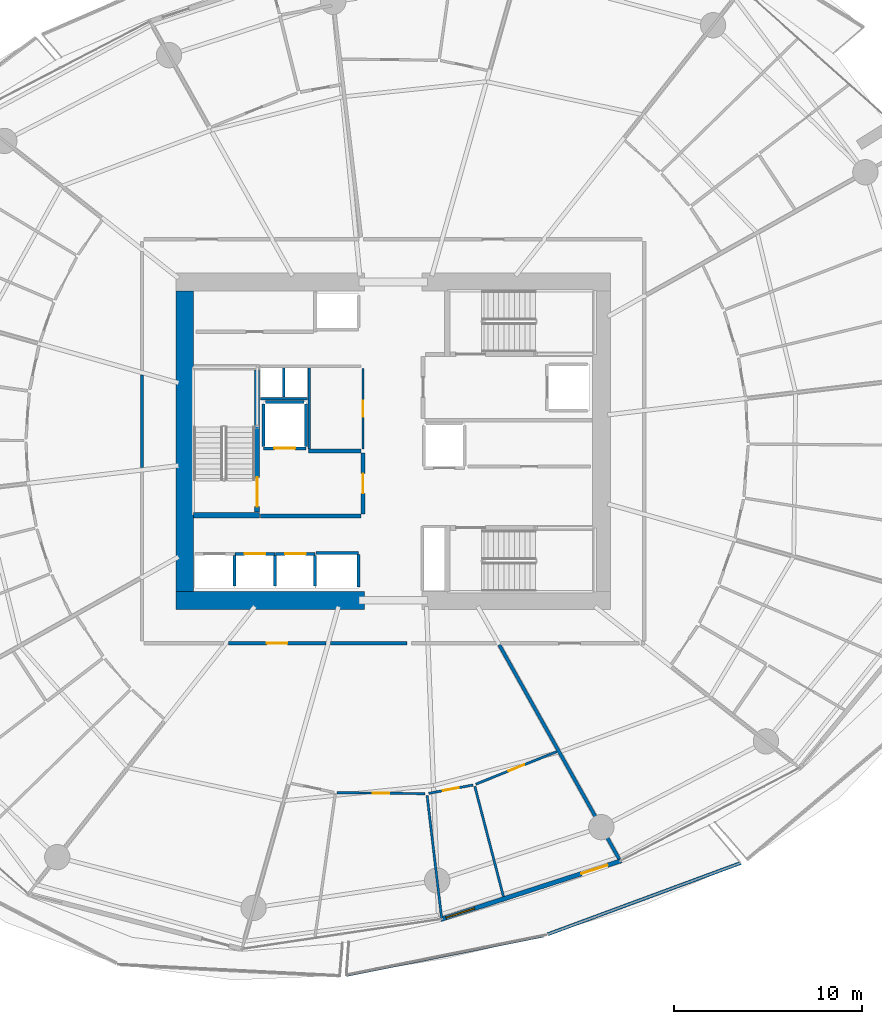
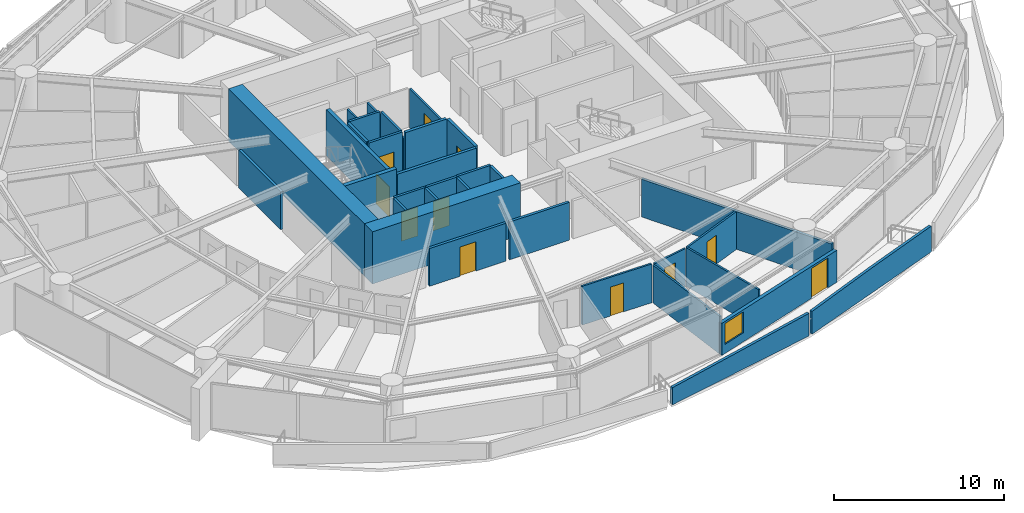
# One storey, part 20 of 31: 34 walls, 11 doors, 1 window, 12 openings.
"""IFC4 building model written with IfcOpenShell, lengths in metres."""

from ifc_helpers import new_model, si_unit, direction, frame, frame_2d, origin, place, context, subcontext, project, spatial, polyline, rectangle, outline, extrude, material, layer, layer_set, type_object, element, fill, save


model = new_model("IFC4")

# Units and contexts
model_context = context("Model", 3, precision=1e-05, world=origin(), true_north=direction((0.0, 1.0)))
body_context = subcontext(model_context, "Body", "Model", "MODEL_VIEW")
ifc_project = project(units=[si_unit("LENGTHUNIT", "METRE"), si_unit("AREAUNIT", "SQUARE_METRE"), si_unit("VOLUMEUNIT", "CUBIC_METRE"), si_unit("PLANEANGLEUNIT", "RADIAN"), si_unit("MASSUNIT", "GRAM", prefix="KILO")], contexts=[model_context])

# Site, building, storey
site_placement = place(None, origin())
site = spatial("IfcSite", under=ifc_project, at=site_placement, CompositionType="ELEMENT")
building_placement = place(site_placement, origin())
building = spatial("IfcBuilding", under=site, at=building_placement, Name="Kazma Halo Residences", CompositionType="ELEMENT")
storey_placement = place(building_placement, frame((0.0, 0.0, 67.64990234375)))
storey = spatial("IfcBuildingStorey", under=building, at=storey_placement, Name="L16", CompositionType="ELEMENT", Elevation=67.64990234375)

# Walls
ifc_material_1 = material(Name="White Concrete C50/60 Balustrade", Category="concrete")
ifc_layer_1 = layer(ifc_material_1, 0.179931640625)
ifc_layer_set_1 = layer_set([ifc_layer_1], Name="White Concrete C50/60 Balustrade")
wall_type_1 = type_object("IfcWallType", Name="WL-BAL-WAVE-180", PredefinedType="PARAPET", material=ifc_layer_set_1)
wall_1_placement = place(storey_placement, frame((45.93798828125, 13.580078125, 0.0), z_axis=(0.0, 0.0, 1.0), x_axis=(0.980527969077, 0.19637948431, 0.0)))
element("IfcWall", 1, at=wall_1_placement, inside=storey, type_object=wall_type_1, Name="L16 white wave balustrade wall SSE.1", PredefinedType="PARAPET", context=body_context, shape_type="SweptSolid", body=[
    extrude(outline(polyline([(0.0, 0.0), (10.696533203125, 0.0), (10.69677734375, 1.632080078125), (5.348388671875, 1.418212890625), (0.0, 1.233154296875), (0.0, 0.0)])), frame((0.0, 0.08984375, 0.0), z_axis=(0.0, -1.0, 0.0), x_axis=(1.0, 0.0, 0.0)), (0.0, 0.0, 1.0), 0.179931640625),
])
wall_2_placement = place(storey_placement, frame((56.656494140625, 15.745849609375, 0.0), z_axis=(0.0, 0.0, 1.0), x_axis=(0.938003942123, 0.346624587358, 0.0)))
element("IfcWall", 2, at=wall_2_placement, inside=storey, type_object=wall_type_1, Name="L16 white wave balustrade wall SSE.2", PredefinedType="PARAPET", context=body_context, shape_type="SweptSolid", body=[
    extrude(outline(polyline([(0.0, 0.0), (10.96435546875, 0.0), (10.96435546875, 1.860107421875), (5.482177734375, 1.798095703125), (0.0, 1.632080078125), (0.0, 0.0)])), frame((0.0, 0.08984375, 0.0), z_axis=(0.0, -1.0, 0.0), x_axis=(1.0, 0.0, 0.0)), (0.0, 0.0, 1.0), 0.179931640625),
])
ifc_material_2 = material(Name="Concrete C80/95", Category="concrete")
ifc_layer_2 = layer(ifc_material_2, 0.949951171875)
ifc_layer_set_2 = layer_set([ifc_layer_2], Name="Concrete C80/95")
wall_type_2 = type_object("IfcWallType", Name="WL-CORE-950", PredefinedType="SHEAR", material=ifc_layer_set_2)
wall_3_placement = place(storey_placement, frame((36.85009765625, 33.52490234375, 0.0), z_axis=(0.0, 0.0, 1.0), x_axis=(1.0, 0.0, 0.0)))
element("IfcWall", 3, at=wall_3_placement, inside=storey, type_object=wall_type_2, Name="L16 central core shear wall SW", PredefinedType="SHEAR", context=body_context, shape_type="SweptSolid", body=[
    extrude(rectangle(XDim=10.0498046875, YDim=0.949951171875, at=frame_2d((5.02490234375, 0.0))), origin(), (0.0, 0.0, 1.0), 3.75),
])
wall_4_placement = place(storey_placement, frame((37.324951171875, 34.0, 0.0), z_axis=(0.0, 0.0, 1.0), x_axis=(0.0, 1.0, 0.0)))
element("IfcWall", 4, at=wall_4_placement, inside=storey, type_object=wall_type_2, Name="L16 central core shear wall W", PredefinedType="SHEAR", context=body_context, shape_type="SweptSolid", body=[
    extrude(rectangle(XDim=16.0, YDim=0.949951171875, at=frame_2d((8.0, 0.0))), origin(), (0.0, 0.0, 1.0), 3.75),
])
ifc_material_3 = material(Name="Concrete C60/75", Category="concrete")
ifc_layer_3 = layer(ifc_material_3, 0.280029296875)
ifc_layer_set_3 = layer_set([ifc_layer_3], Name="Concrete C60/75")
wall_type_3 = type_object("IfcWallType", Name="WL-CORE-ST-280", PredefinedType="SHEAR", material=ifc_layer_set_3)
wall_5_placement = place(storey_placement, frame((37.800048828125, 38.06005859375, 0.0), z_axis=(0.0, 0.0, 1.0), x_axis=(1.0, 0.0, 0.0)))
element("IfcWall", 5, at=wall_5_placement, inside=storey, type_object=wall_type_3, Name="L16 stairwell bearing wall ST01-S", PredefinedType="SHEAR", context=body_context, shape_type="SweptSolid", body=[
    extrude(rectangle(XDim=3.5, YDim=0.280029296875, at=frame_2d((1.75, 0.0))), origin(), (0.0, 0.0, 1.0), 3.75),
])
ifc_material_4 = material(Name="Acoustic Twin-Stud Gypsum")
ifc_layer_4 = layer(ifc_material_4, 0.179931640625)
ifc_layer_set_4 = layer_set([ifc_layer_4], Name="Acoustic Twin-Stud Gypsum")
wall_type_4 = type_object("IfcWallType", Name="WL-DEM-180", PredefinedType="PARTITIONING", material=ifc_layer_set_4)
wall_6_placement = place(storey_placement, frame((54.073974609375, 31.154052734375, 0.0), z_axis=(0.0, 0.0, 1.0), x_axis=(0.48862612996, -0.872493269384, 0.0)))
element("IfcWall", 6, at=wall_6_placement, inside=storey, type_object=wall_type_4, Name="L16 apartment demising radial wall 12", PredefinedType="PARTITIONING", context=body_context, shape_type="SweptSolid", body=[
    extrude(rectangle(XDim=13.064697265625, YDim=0.179931640625, at=frame_2d((6.5322265625, 0.0))), origin(), (0.0, 0.0, 1.0), 2.717041015625),
])
wall_7_placement = place(storey_placement, frame((35.050048828125, 45.5322265625, 0.0), z_axis=(0.0, 0.0, 1.0), x_axis=(0.0, -1.0, 0.0)))
element("IfcWall", 7, at=wall_7_placement, inside=storey, type_object=wall_type_4, Name="L16 Apartment 1 inner wall 6", PredefinedType="PARTITIONING", context=body_context, shape_type="SweptSolid", body=[
    extrude(rectangle(XDim=4.94482421875, YDim=0.179931640625, at=frame_2d((2.472412109375, 0.0))), origin(), (0.0, 0.0, 1.0), 2.717041015625),
])

# Wall, opening, door
wall_8_placement = place(storey_placement, frame((39.6455078125, 31.25, 0.0), z_axis=(0.0, 0.0, 1.0), x_axis=(1.0, 0.0, 0.0)))
wall_8 = element("IfcWall", 8, at=wall_8_placement, inside=storey, type_object=wall_type_4, Name="L16 Apartment 2 entrance corridor wall", PredefinedType="PARTITIONING", context=body_context, shape_type="SweptSolid", body=[
    extrude(rectangle(XDim=5.20263671875, YDim=0.179931640625, at=frame_2d((2.601318359375, 0.0))), origin(), (0.0, 0.0, 1.0), 2.717041015625),
])
opening_1_placement = place(wall_8_placement, frame((2.051513671875, 0.0, 0.0)))
opening_1 = element("IfcOpeningElement", 9, at=opening_1_placement, cuts=wall_8, Name="Opening DA-1100", PredefinedType="OPENING", context=body_context, shape_type="SweptSolid", body=[
    extrude(rectangle(XDim=1.10009765625, YDim=2.10009765625, at=frame_2d((0.550048828125, 1.050048828125))), frame((0.0, 0.099853515625, 0.0), z_axis=(0.0, -1.0, 0.0), x_axis=(1.0, 0.0, 0.0)), (0.0, 0.0, 1.0), 0.199951171875),
])
ifc_material_5 = material(Name="Acoustic Walnut Fire Leaf")
door_type_1 = type_object("IfcDoorType", Name="DR-FD60-1100", OperationType="NOTDEFINED", PredefinedType="DOOR", material=ifc_material_5)
door_1_placement = place(opening_1_placement, origin())
door_1 = element("IfcDoor", 10, at=door_1_placement, inside=storey, type_object=door_type_1, Name="L16 Apartment 2 entrance fire door", OperationType="SINGLE_SWING_LEFT", OverallHeight=2.10009765625, OverallWidth=1.10009765625, PredefinedType="DOOR", context=body_context, shape_type="SweptSolid", body=[
    extrude(rectangle(XDim=1.10009765625, YDim=2.10009765625, at=frame_2d((0.550048828125, 1.050048828125))), frame((0.0, 0.02490234375, 0.0), z_axis=(0.0, -1.0, 0.0), x_axis=(1.0, 0.0, 0.0)), (0.0, 0.0, 1.0), 0.050048828125),
])
fill(opening_1, door_1)

# Wall
wall_9_placement = place(storey_placement, frame((45.088134765625, 31.25, 0.0), z_axis=(0.0, 0.0, 1.0), x_axis=(1.0, 0.0, 0.0)))
element("IfcWall", 11, at=wall_9_placement, inside=storey, type_object=wall_type_4, Name="L16 Apartment 2 inner wall 10", PredefinedType="PARTITIONING", context=body_context, shape_type="SweptSolid", body=[
    extrude(rectangle(XDim=4.064208984375, YDim=0.179931640625, at=frame_2d((2.0322265625, 0.0))), origin(), (0.0, 0.0, 1.0), 2.717041015625),
])

# Wall, openings, door, window
ifc_material_6 = material(Name="Insulated Pale-Metal Composite Wall")
ifc_layer_5 = layer(ifc_material_6, 0.239990234375)
ifc_layer_set_5 = layer_set([ifc_layer_5], Name="Insulated Pale-Metal Composite Wall")
wall_type_5 = type_object("IfcWallType", Name="WL-EXT-HOST-240", PredefinedType="SOLIDWALL", material=ifc_layer_set_5)
wall_10_placement = place(storey_placement, frame((50.9638671875, 16.54150390625, 0.0), z_axis=(0.0, 0.0, 1.0), x_axis=(0.951054679225, 0.309022648238, 0.0)))
wall_10 = element("IfcWall", 12, at=wall_10_placement, inside=storey, type_object=wall_type_5, Name="L16 exterior terrace-access wall B12", PredefinedType="SOLIDWALL", context=body_context, shape_type="SweptSolid", body=[
    extrude(rectangle(XDim=10.0966796875, YDim=0.239990234375, at=frame_2d((5.04833984375, 0.0))), origin(), (0.0, 0.0, 1.0), 2.300048828125),
])
opening_2_placement = place(wall_10_placement, frame((7.876708984375, 0.0, 0.0)))
opening_2 = element("IfcOpeningElement", 13, at=opening_2_placement, cuts=wall_10, Name="Opening DTR-1600", PredefinedType="OPENING", context=body_context, shape_type="SweptSolid", body=[
    extrude(rectangle(XDim=1.449951171875, YDim=2.14990234375, at=frame_2d((0.72509765625, 1.074951171875))), frame((0.0, 0.1298828125, 0.0), z_axis=(0.0, -1.0, 0.0), x_axis=(1.0, 0.0, 0.0)), (0.0, 0.0, 1.0), 0.260009765625),
])
opening_3_placement = place(wall_10_placement, frame((0.280029296875, 0.0, 0.64990234375)))
opening_3 = element("IfcOpeningElement", 14, at=opening_3_placement, cuts=wall_10, Name="Opening W-1800", PredefinedType="OPENING", context=body_context, shape_type="SweptSolid", body=[
    extrude(rectangle(XDim=1.60009765625, YDim=1.5, at=frame_2d((0.800048828125, 0.75))), frame((0.0, 0.1298828125, 0.0), z_axis=(0.0, -1.0, 0.0), x_axis=(1.0, 0.0, 0.0)), (0.0, 0.0, 1.0), 0.260009765625),
])
ifc_material_7 = material(Name="Aluminium AW-6063 T6 Double-Glazed Terrace Door", Category="aluminium")
door_type_2 = type_object("IfcDoorType", Name="DR-EXT-TERR-1600", OperationType="NOTDEFINED", PredefinedType="DOOR", material=ifc_material_7)
door_2_placement = place(opening_2_placement, origin())
door_2 = element("IfcDoor", 15, at=door_2_placement, inside=storey, type_object=door_type_2, Name="L16 B12 balcony terrace door", OperationType="DOUBLE_DOOR_SLIDING", OverallHeight=2.14990234375, OverallWidth=1.449951171875, PredefinedType="DOOR", context=body_context, shape_type="SweptSolid", body=[
    extrude(rectangle(XDim=1.449951171875, YDim=2.14990234375, at=frame_2d((0.72509765625, 1.074951171875))), frame((0.0, 0.02490234375, 0.0), z_axis=(0.0, -1.0, 0.0), x_axis=(1.0, 0.0, 0.0)), (0.0, 0.0, 1.0), 0.050048828125),
])
fill(opening_2, door_2)
ifc_material_8 = material(Name="Clear Triple-Silver Low-E Glass in Aluminium AW-6063 T6 Frame", Category="aluminium")
window_type = type_object("IfcWindowType", Name="WIN-RES-1800", PartitioningType="DOUBLE_PANEL_VERTICAL", PredefinedType="WINDOW", material=ifc_material_8)
window_placement = place(opening_3_placement, origin())
window = element("IfcWindow", 16, at=window_placement, inside=storey, type_object=window_type, Name="L16 B12 apartment window", OverallHeight=1.5, OverallWidth=1.60009765625, PartitioningType="SINGLE_PANEL", PredefinedType="WINDOW", context=body_context, shape_type="SweptSolid", body=[
    extrude(rectangle(XDim=1.60009765625, YDim=1.5, at=frame_2d((0.800048828125, 0.75))), frame((0.0, 0.030029296875, 0.0), z_axis=(0.0, -1.0, 0.0), x_axis=(1.0, 0.0, 0.0)), (0.0, 0.0, 1.0), 0.06005859375),
])
fill(opening_3, window)

# Wall
ifc_material_9 = material(Name="Fire-Rated Blockwork Masonry", Category="masonry")
ifc_layer_6 = layer(ifc_material_9, 0.199951171875)
ifc_layer_set_6 = layer_set([ifc_layer_6], Name="Fire-Rated Blockwork Masonry")
wall_type_6 = type_object("IfcWallType", Name="WL-FLB-200", PredefinedType="PARTITIONING", material=ifc_layer_set_6)
wall_11_placement = place(storey_placement, frame((39.97509765625, 34.294921875, 0.0), z_axis=(0.0, 0.0, 1.0), x_axis=(0.0, 1.0, 0.0)))
element("IfcWall", 17, at=wall_11_placement, inside=storey, type_object=wall_type_6, Name="L16 lift shaft PL-01 side wall E", PredefinedType="PARTITIONING", context=body_context, shape_type="SweptSolid", body=[
    extrude(rectangle(XDim=1.610107421875, YDim=0.159912109375, at=frame_2d((0.80517578125, 0.0))), origin(), (0.0, 0.0, 1.0), 3.35009765625),
])

# Wall, opening, door
wall_12_placement = place(storey_placement, frame((40.014892578125, 36.0048828125, 0.0), z_axis=(0.0, 0.0, 1.0), x_axis=(1.0, 0.0, 0.0)))
wall_12 = element("IfcWall", 18, at=wall_12_placement, inside=storey, type_object=wall_type_6, Name="L16 lift shaft PL-02 front wall", PredefinedType="PARTITIONING", context=body_context, shape_type="SweptSolid", body=[
    extrude(rectangle(XDim=2.110107421875, YDim=0.159912109375, at=frame_2d((1.05517578125, 0.0))), origin(), (0.0, 0.0, 1.0), 3.35009765625),
])
opening_4_placement = place(wall_12_placement, frame((0.5048828125, 0.0, 0.0)))
opening_4 = element("IfcOpeningElement", 19, at=opening_4_placement, cuts=wall_12, Name="Opening LD-PL-02", PredefinedType="OPENING", context=body_context, shape_type="SweptSolid", body=[
    extrude(rectangle(XDim=1.10009765625, YDim=2.10009765625, at=frame_2d((0.550048828125, 1.050048828125))), frame((0.0, 0.08984375, 0.0), z_axis=(0.0, -1.0, 0.0), x_axis=(1.0, 0.0, 0.0)), (0.0, 0.0, 1.0), 0.179931640625),
])
ifc_material_10 = material(Name="Stainless Steel Fire-Rated", Category="steel")
door_type_3 = type_object("IfcDoorType", Name="DR-LIFT-SLD-1100", OperationType="DOUBLE_DOOR_SLIDING", PredefinedType="DOOR", material=ifc_material_10)
door_3_placement = place(opening_4_placement, origin())
door_3 = element("IfcDoor", 20, at=door_3_placement, inside=storey, type_object=door_type_3, Name="L16 lift PL-02 sliding landing door", OperationType="DOUBLE_DOOR_SLIDING", OverallHeight=2.10009765625, OverallWidth=1.10009765625, PredefinedType="DOOR", context=body_context, shape_type="SweptSolid", body=[
    extrude(rectangle(XDim=1.10009765625, YDim=2.10009765625, at=frame_2d((0.550048828125, 1.050048828125))), frame((0.0, 0.02490234375, 0.0), z_axis=(0.0, -1.0, 0.0), x_axis=(1.0, 0.0, 0.0)), (0.0, 0.0, 1.0), 0.050048828125),
])
fill(opening_4, door_3)

# Wall
wall_13_placement = place(storey_placement, frame((42.125, 34.294921875, 0.0), z_axis=(0.0, 0.0, 1.0), x_axis=(0.0, 1.0, 0.0)))
element("IfcWall", 21, at=wall_13_placement, inside=storey, type_object=wall_type_6, Name="L16 lift shaft PL-02 side wall E", PredefinedType="PARTITIONING", context=body_context, shape_type="SweptSolid", body=[
    extrude(rectangle(XDim=1.610107421875, YDim=0.159912109375, at=frame_2d((0.80517578125, 0.0))), origin(), (0.0, 0.0, 1.0), 3.35009765625),
])

# Wall, opening, door
wall_14_placement = place(storey_placement, frame((42.1650390625, 36.0048828125, 0.0), z_axis=(0.0, 0.0, 1.0), x_axis=(1.0, 0.0, 0.0)))
wall_14 = element("IfcWall", 22, at=wall_14_placement, inside=storey, type_object=wall_type_6, Name="L16 lift shaft PL-03 front wall", PredefinedType="PARTITIONING", context=body_context, shape_type="SweptSolid", body=[
    extrude(rectangle(XDim=2.10986328125, YDim=0.159912109375, at=frame_2d((1.054931640625, 0.0))), origin(), (0.0, 0.0, 1.0), 3.35009765625),
])
opening_5_placement = place(wall_14_placement, frame((0.5048828125, 0.0, 0.0)))
opening_5 = element("IfcOpeningElement", 23, at=opening_5_placement, cuts=wall_14, Name="Opening LD-PL-03", PredefinedType="OPENING", context=body_context, shape_type="SweptSolid", body=[
    extrude(rectangle(XDim=1.10009765625, YDim=2.10009765625, at=frame_2d((0.550048828125, 1.050048828125))), frame((0.0, 0.08984375, 0.0), z_axis=(0.0, -1.0, 0.0), x_axis=(1.0, 0.0, 0.0)), (0.0, 0.0, 1.0), 0.179931640625),
])
door_4_placement = place(opening_5_placement, origin())
door_4 = element("IfcDoor", 24, at=door_4_placement, inside=storey, type_object=door_type_3, Name="L16 lift PL-03 sliding landing door", OperationType="DOUBLE_DOOR_SLIDING", OverallHeight=2.10009765625, OverallWidth=1.10009765625, PredefinedType="DOOR", context=body_context, shape_type="SweptSolid", body=[
    extrude(rectangle(XDim=1.10009765625, YDim=2.10009765625, at=frame_2d((0.550048828125, 1.050048828125))), frame((0.0, 0.02490234375, 0.0), z_axis=(0.0, -1.0, 0.0), x_axis=(1.0, 0.0, 0.0)), (0.0, 0.0, 1.0), 0.050048828125),
])
fill(opening_5, door_4)

# Walls
wall_15_placement = place(storey_placement, frame((44.27490234375, 34.294921875, 0.0), z_axis=(0.0, 0.0, 1.0), x_axis=(0.0, 1.0, 0.0)))
element("IfcWall", 25, at=wall_15_placement, inside=storey, type_object=wall_type_6, Name="L16 lift shaft PL-03 side wall E", PredefinedType="PARTITIONING", context=body_context, shape_type="SweptSolid", body=[
    extrude(rectangle(XDim=1.610107421875, YDim=0.159912109375, at=frame_2d((0.80517578125, 0.0))), origin(), (0.0, 0.0, 1.0), 3.35009765625),
])
wall_16_placement = place(storey_placement, frame((44.320068359375, 36.054931640625, 0.0), z_axis=(0.0, 0.0, 1.0), x_axis=(1.0, 0.0, 0.0)))
element("IfcWall", 26, at=wall_16_placement, inside=storey, type_object=wall_type_6, Name="L16 lift shaft PX-02 front wall", PredefinedType="PARTITIONING", context=body_context, shape_type="SweptSolid", body=[
    extrude(rectangle(XDim=2.260009765625, YDim=0.159912109375, at=frame_2d((1.1298828125, 0.0))), origin(), (0.0, 0.0, 1.0), 3.35009765625),
])
wall_17_placement = place(storey_placement, frame((46.580078125, 34.2451171875, 0.0), z_axis=(0.0, 0.0, 1.0), x_axis=(0.0, 1.0, 0.0)))
element("IfcWall", 27, at=wall_17_placement, inside=storey, type_object=wall_type_6, Name="L16 lift shaft PX-02 side wall E", PredefinedType="PARTITIONING", context=body_context, shape_type="SweptSolid", body=[
    extrude(rectangle(XDim=1.7099609375, YDim=0.159912109375, at=frame_2d((0.85498046875, 0.0))), origin(), (0.0, 0.0, 1.0), 3.35009765625),
])

# Wall, opening, door
wall_18_placement = place(storey_placement, frame((43.780029296875, 41.6201171875, 0.0), z_axis=(0.0, 0.0, 1.0), x_axis=(-1.0, 0.0, 0.0)))
wall_18 = element("IfcWall", 28, at=wall_18_placement, inside=storey, type_object=wall_type_6, Name="L16 lift shaft FL-01 front wall", PredefinedType="PARTITIONING", context=body_context, shape_type="SweptSolid", body=[
    extrude(rectangle(XDim=2.260009765625, YDim=0.159912109375, at=frame_2d((1.1298828125, 0.0))), origin(), (0.0, 0.0, 1.0), 3.35009765625),
])
opening_6_placement = place(wall_18_placement, frame((0.580078125, 0.0, 0.0)))
opening_6 = element("IfcOpeningElement", 29, at=opening_6_placement, cuts=wall_18, Name="Opening LD-FL-01", PredefinedType="OPENING", context=body_context, shape_type="SweptSolid", body=[
    extrude(rectangle(XDim=1.10009765625, YDim=2.10009765625, at=frame_2d((0.550048828125, 1.050048828125))), frame((0.0, 0.08984375, 0.0), z_axis=(0.0, -1.0, 0.0), x_axis=(1.0, 0.0, 0.0)), (0.0, 0.0, 1.0), 0.179931640625),
])
door_5_placement = place(opening_6_placement, origin())
door_5 = element("IfcDoor", 30, at=door_5_placement, inside=storey, type_object=door_type_3, Name="L16 lift FL-01 sliding landing door", OperationType="DOUBLE_DOOR_SLIDING", OverallHeight=2.10009765625, OverallWidth=1.10009765625, PredefinedType="DOOR", context=body_context, shape_type="SweptSolid", body=[
    extrude(rectangle(XDim=1.10009765625, YDim=2.10009765625, at=frame_2d((0.550048828125, 1.050048828125))), frame((0.0, 0.02490234375, 0.0), z_axis=(0.0, -1.0, 0.0), x_axis=(1.0, 0.0, 0.0)), (0.0, 0.0, 1.0), 0.050048828125),
])
fill(opening_6, door_5)

# Walls
for number, where, z_axis, x_axis, name in (
    (31, (43.780029296875, 41.719970703125, 0.0), (0.0, 0.0, 1.0), (0.0, 1.0, 0.0), "L16 lift shaft FL-01 side wall E"),
    (32, (41.52001953125, 41.719970703125, 0.0), (0.0, 0.0, 1.0), (0.0, 1.0, 0.0), "L16 lift shaft FL-01 side wall W"),
):
    element("IfcWall", number, at=place(storey_placement, frame(where, z_axis=z_axis, x_axis=x_axis)), inside=storey, type_object=wall_type_6, Name=name, PredefinedType="PARTITIONING", context=body_context, shape_type="SweptSolid", body=[
        extrude(rectangle(XDim=2.260009765625, YDim=0.159912109375, at=frame_2d((1.1298828125, 0.0))), origin(), (0.0, 0.0, 1.0), 3.35009765625),
    ])
wall_19_placement = place(storey_placement, frame((41.6201171875, 44.080078125, 0.0), z_axis=(0.0, 0.0, 1.0), x_axis=(1.0, 0.0, 0.0)))
element("IfcWall", 33, at=wall_19_placement, inside=storey, type_object=wall_type_6, Name="L16 lift shaft FL-01 side wall N", PredefinedType="PARTITIONING", context=body_context, shape_type="SweptSolid", body=[
    extrude(rectangle(XDim=2.059814453125, YDim=0.159912109375, at=frame_2d((1.02978515625, 0.0))), origin(), (0.0, 0.0, 1.0), 3.35009765625),
])
wall_20_placement = place(storey_placement, frame((41.35009765625, 38.02001953125, 0.0), z_axis=(0.0, 0.0, 1.0), x_axis=(1.0, 0.0, 0.0)))
element("IfcWall", 34, at=wall_20_placement, inside=storey, type_object=wall_type_6, Name="L16 west firefighting lobby south smoke wall", PredefinedType="PARTITIONING", context=body_context, shape_type="SweptSolid", body=[
    extrude(rectangle(XDim=5.369873046875, YDim=0.199951171875, at=frame_2d((2.68505859375, 0.0))), origin(), (0.0, 0.0, 1.0), 3.35009765625),
])
wall_21_placement = place(storey_placement, frame((43.919921875, 41.47998046875, 0.0), z_axis=(0.0, 0.0, 1.0), x_axis=(1.0, 0.0, 0.0)))
element("IfcWall", 35, at=wall_21_placement, inside=storey, type_object=wall_type_6, Name="L16 west firefighting lobby north smoke wall", PredefinedType="PARTITIONING", context=body_context, shape_type="SweptSolid", body=[
    extrude(rectangle(XDim=2.800048828125, YDim=0.199951171875, at=frame_2d((1.39990234375, 0.0))), origin(), (0.0, 0.0, 1.0), 3.35009765625),
])

# Wall, opening, door
wall_22_placement = place(storey_placement, frame((46.820068359375, 38.1201171875, 0.0), z_axis=(0.0, 0.0, 1.0), x_axis=(0.0, 1.0, 0.0)))
wall_22 = element("IfcWall", 36, at=wall_22_placement, inside=storey, type_object=wall_type_6, Name="L16 west firefighting lobby smoke wall", PredefinedType="PARTITIONING", context=body_context, shape_type="SweptSolid", body=[
    extrude(rectangle(XDim=3.259765625, YDim=0.199951171875, at=frame_2d((1.6298828125, 0.0))), origin(), (0.0, 0.0, 1.0), 3.35009765625),
])
opening_7_placement = place(wall_22_placement, frame((1.10498046875, 0.0, 0.0)))
opening_7 = element("IfcOpeningElement", 37, at=opening_7_placement, cuts=wall_22, Name="Opening D-FLW", PredefinedType="OPENING", context=body_context, shape_type="SweptSolid", body=[
    extrude(rectangle(XDim=1.050048828125, YDim=2.10009765625, at=frame_2d((0.52490234375, 1.050048828125))), frame((0.0, 0.10986328125, 0.0), z_axis=(0.0, -1.0, 0.0), x_axis=(1.0, 0.0, 0.0)), (0.0, 0.0, 1.0), 0.219970703125),
])
ifc_material_11 = material(Name="Fire-Rated Steel Leaf", Category="steel")
door_type_4 = type_object("IfcDoorType", Name="DR-FD90-1050", OperationType="NOTDEFINED", PredefinedType="DOOR", material=ifc_material_11)
door_6_placement = place(opening_7_placement, origin())
door_6 = element("IfcDoor", 38, at=door_6_placement, inside=storey, type_object=door_type_4, Name="L16 west firefighting lobby smoke door", OperationType="SINGLE_SWING_LEFT", OverallHeight=2.10009765625, OverallWidth=1.050048828125, PredefinedType="DOOR", context=body_context, shape_type="SweptSolid", body=[
    extrude(rectangle(XDim=1.050048828125, YDim=2.10009765625, at=frame_2d((0.52490234375, 1.050048828125))), frame((0.0, 0.02490234375, 0.0), z_axis=(0.0, -1.0, 0.0), x_axis=(1.0, 0.0, 0.0)), (0.0, 0.0, 1.0), 0.050048828125),
])
fill(opening_7, door_6)

# Walls
ifc_material_12 = material(Name="Gypsum Plasterboard Partition")
ifc_layer_7 = layer(ifc_material_12, 0.125)
ifc_layer_set_7 = layer_set([ifc_layer_7], Name="Gypsum Plasterboard Partition")
wall_type_7 = type_object("IfcWallType", Name="WL-PART-125", PredefinedType="PARTITIONING", material=ifc_layer_set_7)
wall_23_placement = place(storey_placement, frame((41.360107421875, 44.260009765625, 0.0), z_axis=(0.0, 0.0, 1.0), x_axis=(1.0, 0.0, 0.0)))
element("IfcWall", 39, at=wall_23_placement, inside=storey, type_object=wall_type_7, Name="L16 core riser south wall", PredefinedType="PARTITIONING", context=body_context, shape_type="SweptSolid", body=[
    extrude(rectangle(XDim=2.5, YDim=0.125, at=frame_2d((1.25, 0.0))), origin(), (0.0, 0.0, 1.0), 2.7900390625),
])
wall_24_placement = place(storey_placement, frame((42.60009765625, 44.35009765625, 0.0), z_axis=(0.0, 0.0, 1.0), x_axis=(0.0, 1.0, 0.0)))
element("IfcWall", 40, at=wall_24_placement, inside=storey, type_object=wall_type_7, Name="L16 core riser divider wall", PredefinedType="PARTITIONING", context=body_context, shape_type="SweptSolid", body=[
    extrude(rectangle(XDim=1.5498046875, YDim=0.125, at=frame_2d((0.77490234375, 0.0))), origin(), (0.0, 0.0, 1.0), 2.7900390625),
])
wall_25_placement = place(storey_placement, frame((43.949951171875, 41.580078125, 0.0), z_axis=(0.0, 0.0, 1.0), x_axis=(0.0, 1.0, 0.0)))
element("IfcWall", 41, at=wall_25_placement, inside=storey, type_object=wall_type_7, Name="L16 core service west wall", PredefinedType="PARTITIONING", context=body_context, shape_type="SweptSolid", body=[
    extrude(rectangle(XDim=4.31982421875, YDim=0.125, at=frame_2d((2.159912109375, 0.0))), origin(), (0.0, 0.0, 1.0), 2.7900390625),
])

# Wall, opening, door
wall_26_placement = place(storey_placement, frame((46.820068359375, 41.580078125, 0.0), z_axis=(0.0, 0.0, 1.0), x_axis=(0.0, 1.0, 0.0)))
wall_26 = element("IfcWall", 42, at=wall_26_placement, inside=storey, type_object=wall_type_7, Name="L16 core service room east wall", PredefinedType="PARTITIONING", context=body_context, shape_type="SweptSolid", body=[
    extrude(rectangle(XDim=4.2998046875, YDim=0.125, at=frame_2d((2.14990234375, 0.0))), origin(), (0.0, 0.0, 1.0), 2.7900390625),
])
opening_8_placement = place(wall_26_placement, frame((1.72509765625, 0.0, 0.0)))
opening_8 = element("IfcOpeningElement", 43, at=opening_8_placement, cuts=wall_26, Name="Opening DS-850", PredefinedType="OPENING", context=body_context, shape_type="SweptSolid", body=[
    extrude(rectangle(XDim=0.85009765625, YDim=2.06005859375, at=frame_2d((0.425048828125, 1.030029296875))), frame((0.0, 0.072509765625, 0.0), z_axis=(0.0, -1.0, 0.0), x_axis=(1.0, 0.0, 0.0)), (0.0, 0.0, 1.0), 0.14501953125),
])
ifc_material_13 = material(Name="Painted Steel Access Leaf", Category="steel")
door_type_5 = type_object("IfcDoorType", Name="DR-SVC-850", OperationType="NOTDEFINED", PredefinedType="DOOR", material=ifc_material_13)
door_7_placement = place(opening_8_placement, origin())
door_7 = element("IfcDoor", 44, at=door_7_placement, inside=storey, type_object=door_type_5, Name="L16 core service room door", OperationType="SINGLE_SWING_LEFT", OverallHeight=2.06005859375, OverallWidth=0.85009765625, PredefinedType="DOOR", context=body_context, shape_type="SweptSolid", body=[
    extrude(rectangle(XDim=0.85009765625, YDim=2.06005859375, at=frame_2d((0.425048828125, 1.030029296875))), frame((0.0, 0.02490234375, 0.0), z_axis=(0.0, -1.0, 0.0), x_axis=(1.0, 0.0, 0.0)), (0.0, 0.0, 1.0), 0.050048828125),
])
fill(opening_8, door_7)

wall_27_placement = place(storey_placement, frame((45.431640625, 23.28564453125, 0.0), z_axis=(0.0, 0.0, 1.0), x_axis=(0.999935022773, -0.011399571577, 0.0)))
wall_27 = element("IfcWall", 45, at=wall_27_placement, inside=storey, type_object=wall_type_7, Name="L16 Apartment 2 West Master Bedroom hall wall", PredefinedType="PARTITIONING", context=body_context, shape_type="SweptSolid", body=[
    extrude(rectangle(XDim=4.690185546875, YDim=0.125, at=frame_2d((2.34521484375, 0.0))), origin(), (0.0, 0.0, 1.0), 2.7900390625),
])
opening_9_placement = place(wall_27_placement, frame((1.89501953125, 0.0, 0.0)))
opening_9 = element("IfcOpeningElement", 46, at=opening_9_placement, cuts=wall_27, Name="Opening DI-950", PredefinedType="OPENING", context=body_context, shape_type="SweptSolid", body=[
    extrude(rectangle(XDim=0.89990234375, YDim=2.080078125, at=frame_2d((0.449951171875, 1.0400390625))), frame((0.0, 0.072509765625, 0.0), z_axis=(0.0, -1.0, 0.0), x_axis=(1.0, 0.0, 0.0)), (0.0, 0.0, 1.0), 0.14501953125),
])
ifc_material_14 = material(Name="Timber Veneer Flush Leaf", Category="wood")
door_type_6 = type_object("IfcDoorType", Name="DR-INT-950", OperationType="NOTDEFINED", PredefinedType="DOOR", material=ifc_material_14)
door_8_placement = place(opening_9_placement, origin())
door_8 = element("IfcDoor", 47, at=door_8_placement, inside=storey, type_object=door_type_6, Name="L16 Apartment 2 West Master Bedroom door", OperationType="SINGLE_SWING_RIGHT", OverallHeight=2.080078125, OverallWidth=0.89990234375, PredefinedType="DOOR", context=body_context, shape_type="SweptSolid", body=[
    extrude(rectangle(XDim=0.89990234375, YDim=2.080078125, at=frame_2d((0.449951171875, 1.0400390625))), frame((0.0, 0.02490234375, 0.0), z_axis=(0.0, -1.0, 0.0), x_axis=(1.0, 0.0, 0.0)), (0.0, 0.0, 1.0), 0.050048828125),
])
fill(opening_9, door_8)

# Walls
wall_28_placement = place(storey_placement, frame((50.2333984375, 23.131591796875, 0.0), z_axis=(0.0, 0.0, 1.0), x_axis=(0.117489829597, -0.993074085827, 0.0)))
element("IfcWall", 48, at=wall_28_placement, inside=storey, type_object=wall_type_7, Name="L16 Apartment 2 radial partition 11", PredefinedType="PARTITIONING", context=body_context, shape_type="SweptSolid", body=[
    extrude(rectangle(XDim=6.595458984375, YDim=0.125, at=frame_2d((3.2978515625, 0.0))), origin(), (0.0, 0.0, 1.0), 2.717041015625),
])
wall_29_placement = place(storey_placement, frame((52.773193359375, 23.61962890625, 0.0), z_axis=(0.0, 0.0, 1.0), x_axis=(0.25132433645, -0.967902927936, 0.0)))
element("IfcWall", 49, at=wall_29_placement, inside=storey, type_object=wall_type_7, Name="L16 Apartment 2 mid-bay wall 11", PredefinedType="PARTITIONING", context=body_context, shape_type="SweptSolid", body=[
    extrude(rectangle(XDim=6.058837890625, YDim=0.125, at=frame_2d((3.029296875, 0.0))), origin(), (0.0, 0.0, 1.0), 2.7900390625),
])

# Wall, opening, door
wall_30_placement = place(storey_placement, frame((50.31982421875, 23.24951171875, 0.0), z_axis=(0.0, 0.0, 1.0), x_axis=(0.982768095507, 0.18484282635, 0.0)))
wall_30 = element("IfcWall", 50, at=wall_30_placement, inside=storey, type_object=wall_type_7, Name="L16 Apartment 2 North Private Study hall wall", PredefinedType="PARTITIONING", context=body_context, shape_type="SweptSolid", body=[
    extrude(rectangle(XDim=2.393310546875, YDim=0.125, at=frame_2d((1.19677734375, 0.0))), origin(), (0.0, 0.0, 1.0), 2.717041015625),
])
opening_10_placement = place(wall_30_placement, frame((0.771728515625, 0.0, 0.0)))
opening_10 = element("IfcOpeningElement", 51, at=opening_10_placement, cuts=wall_30, Name="Opening DB-900", PredefinedType="OPENING", context=body_context, shape_type="SweptSolid", body=[
    extrude(rectangle(XDim=0.85009765625, YDim=2.06005859375, at=frame_2d((0.425048828125, 1.030029296875))), frame((0.0, 0.072509765625, 0.0), z_axis=(0.0, -1.0, 0.0), x_axis=(1.0, 0.0, 0.0)), (0.0, 0.0, 1.0), 0.14501953125),
])
ifc_material_15 = material(Name="Moisture-Sealed Timber Leaf", Category="wood")
door_type_7 = type_object("IfcDoorType", Name="DR-BTH-900", OperationType="NOTDEFINED", PredefinedType="DOOR", material=ifc_material_15)
door_9_placement = place(opening_10_placement, origin())
door_9 = element("IfcDoor", 52, at=door_9_placement, inside=storey, type_object=door_type_7, Name="L16 Apartment 2 North Private Study door", OperationType="SINGLE_SWING_RIGHT", OverallHeight=2.06005859375, OverallWidth=0.85009765625, PredefinedType="DOOR", context=body_context, shape_type="SweptSolid", body=[
    extrude(rectangle(XDim=0.85009765625, YDim=2.06005859375, at=frame_2d((0.425048828125, 1.030029296875))), frame((0.0, 0.02490234375, 0.0), z_axis=(0.0, -1.0, 0.0), x_axis=(1.0, 0.0, 0.0)), (0.0, 0.0, 1.0), 0.050048828125),
])
fill(opening_10, door_9)

wall_31_placement = place(storey_placement, frame((52.82470703125, 23.736572265625, 0.0), z_axis=(0.0, 0.0, 1.0), x_axis=(0.927816686836, 0.373036453484, 0.0)))
wall_31 = element("IfcWall", 53, at=wall_31_placement, inside=storey, type_object=wall_type_7, Name="L16 Apartment 2 South Bedroom hall wall", PredefinedType="PARTITIONING", context=body_context, shape_type="SweptSolid", body=[
    extrude(rectangle(XDim=4.6533203125, YDim=0.125, at=frame_2d((2.32666015625, 0.0))), origin(), (0.0, 0.0, 1.0), 2.717041015625),
])
opening_11_placement = place(wall_31_placement, frame((1.876708984375, 0.0, 0.0)))
opening_11 = element("IfcOpeningElement", 54, at=opening_11_placement, cuts=wall_31, Name="Opening DI-950", PredefinedType="OPENING", context=body_context, shape_type="SweptSolid", body=[
    extrude(rectangle(XDim=0.89990234375, YDim=2.080078125, at=frame_2d((0.449951171875, 1.0400390625))), frame((0.0, 0.072509765625, 0.0), z_axis=(0.0, -1.0, 0.0), x_axis=(1.0, 0.0, 0.0)), (0.0, 0.0, 1.0), 0.14501953125),
])
door_10_placement = place(opening_11_placement, origin())
door_10 = element("IfcDoor", 55, at=door_10_placement, inside=storey, type_object=door_type_6, Name="L16 Apartment 2 South Bedroom door", OperationType="SINGLE_SWING_LEFT", OverallHeight=2.080078125, OverallWidth=0.89990234375, PredefinedType="DOOR", context=body_context, shape_type="SweptSolid", body=[
    extrude(rectangle(XDim=0.89990234375, YDim=2.080078125, at=frame_2d((0.449951171875, 1.0400390625))), frame((0.0, 0.02490234375, 0.0), z_axis=(0.0, -1.0, 0.0), x_axis=(1.0, 0.0, 0.0)), (0.0, 0.0, 1.0), 0.050048828125),
])
fill(opening_11, door_10)

ifc_material_16 = material(Name="Concrete C50/60", Category="concrete")
ifc_layer_8 = layer(ifc_material_16, 0.25)
ifc_layer_set_8 = layer_set([ifc_layer_8], Name="Concrete C50/60")
wall_type_8 = type_object("IfcWallType", Name="WL-SHF-250", PredefinedType="SOLIDWALL", material=ifc_layer_set_8)
wall_32_placement = place(storey_placement, frame((41.179931640625, 38.219970703125, 0.0), z_axis=(0.0, 0.0, 1.0), x_axis=(0.0, 1.0, 0.0)))
wall_32 = element("IfcWall", 56, at=wall_32_placement, inside=storey, type_object=wall_type_8, Name="L16 exit stair ST-01 enclosure wall", PredefinedType="SOLIDWALL", context=body_context, shape_type="SweptSolid", body=[
    extrude(rectangle(XDim=7.56005859375, YDim=0.25, at=frame_2d((3.780029296875, 0.0))), origin(), (0.0, 0.0, 1.0), 3.35009765625),
])
opening_12_placement = place(wall_32_placement, frame((0.300048828125, 0.0, 0.0)))
opening_12 = element("IfcOpeningElement", 57, at=opening_12_placement, cuts=wall_32, Name="Opening D-ST1", PredefinedType="OPENING", context=body_context, shape_type="SweptSolid", body=[
    extrude(rectangle(XDim=1.550048828125, YDim=2.14990234375, at=frame_2d((0.77490234375, 1.074951171875))), frame((0.0, 0.135009765625, 0.0), z_axis=(0.0, -1.0, 0.0), x_axis=(1.0, 0.0, 0.0)), (0.0, 0.0, 1.0), 0.27001953125),
])
ifc_material_17 = material(Name="Fire-Rated Double Steel Leaf", Category="steel")
door_type_8 = type_object("IfcDoorType", Name="DR-FD90-1550", OperationType="NOTDEFINED", PredefinedType="DOOR", material=ifc_material_17)
door_11_placement = place(opening_12_placement, origin())
door_11 = element("IfcDoor", 58, at=door_11_placement, inside=storey, type_object=door_type_8, Name="L16 exit stair ST-01 fire door", OperationType="DOUBLE_DOOR_SINGLE_SWING", OverallHeight=2.14990234375, OverallWidth=1.550048828125, PredefinedType="DOOR", context=body_context, shape_type="SweptSolid", body=[
    extrude(rectangle(XDim=1.550048828125, YDim=2.14990234375, at=frame_2d((0.77490234375, 1.074951171875))), frame((0.0, 0.02490234375, 0.0), z_axis=(0.0, -1.0, 0.0), x_axis=(1.0, 0.0, 0.0)), (0.0, 0.0, 1.0), 0.050048828125),
])
fill(opening_12, door_11)

save(model, "model.ifc")
